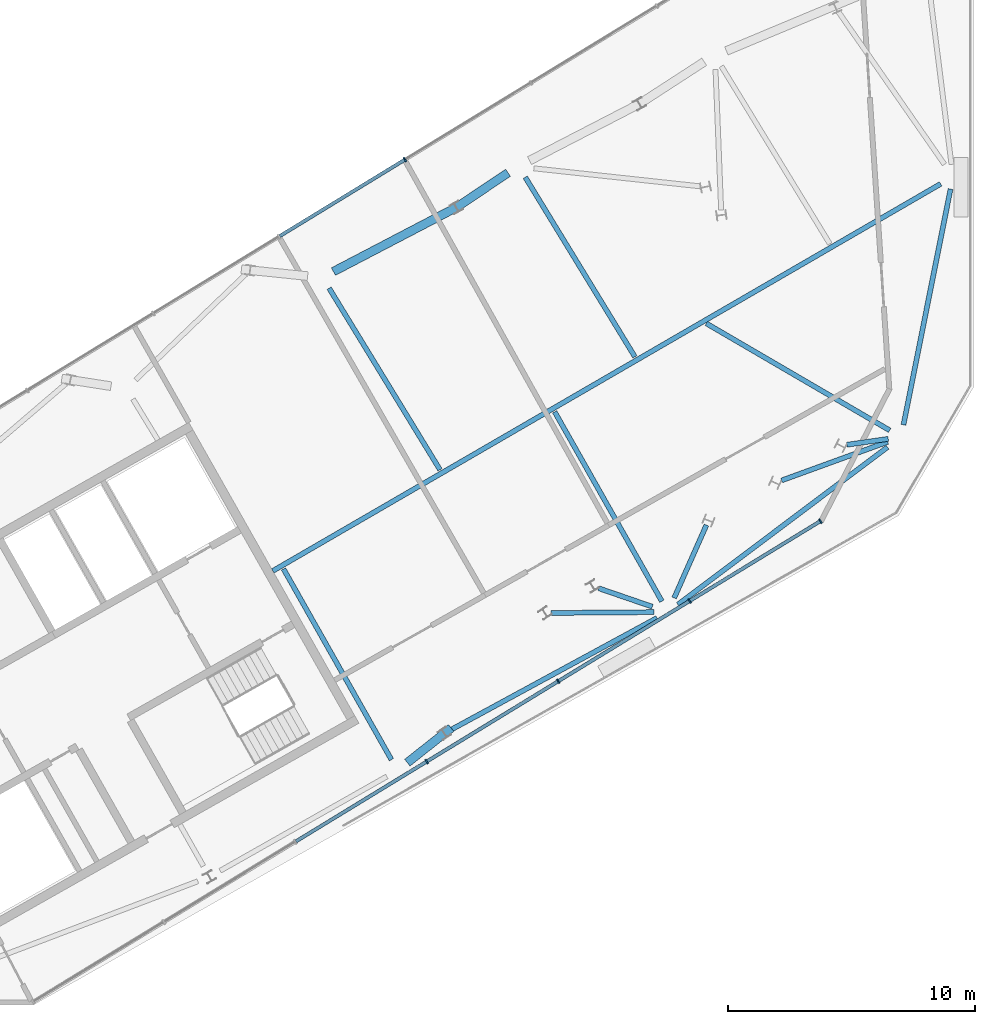
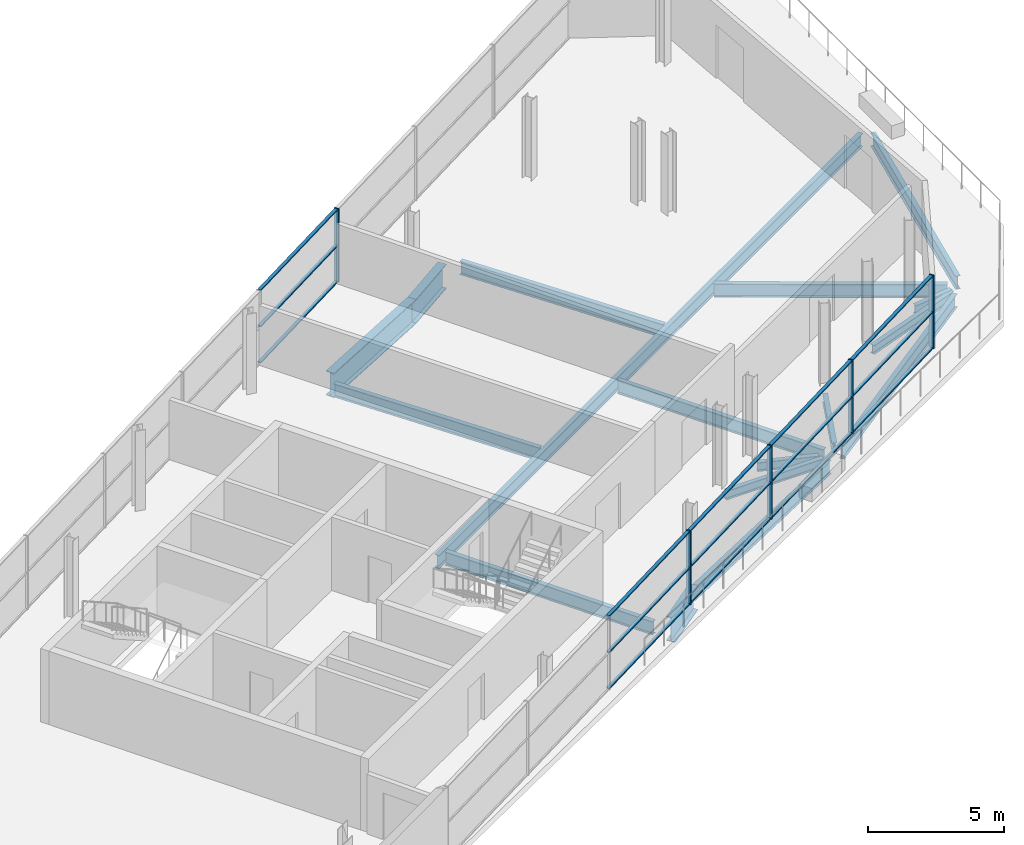
# One storey, part 5 of 10: 20 members, 17 beams, 2 elements without a shape of their own.
"""IFC4 building model written with IfcOpenShell, lengths in metres."""

from ifc_helpers import new_model, si_unit, direction, frame, origin, origin_2d, place, context, subcontext, project, spatial, rectangle, i_section, extrude, material, material_profile, profile_set, type_object, element, aggregate, save


model = new_model("IFC4")

# Units and contexts
model_context = context("Model", 3, precision=1e-05, world=origin(), true_north=direction((0.0, 1.0)))
body_context = subcontext(model_context, "Body", "Model", "MODEL_VIEW")
ifc_project = project(units=[si_unit("LENGTHUNIT", "METRE"), si_unit("AREAUNIT", "SQUARE_METRE"), si_unit("VOLUMEUNIT", "CUBIC_METRE"), si_unit("PLANEANGLEUNIT", "RADIAN"), si_unit("MASSUNIT", "GRAM", prefix="KILO")], contexts=[model_context])

# Site, building, storey
site_placement = place(None, origin())
site = spatial("IfcSite", under=ifc_project, at=site_placement, CompositionType="ELEMENT")
building_placement = place(site_placement, origin())
building = spatial("IfcBuilding", under=site, at=building_placement, Name="Binnacle Exchange Tower", CompositionType="ELEMENT")
storey_placement = place(building_placement, frame((0.0, 0.0, 346.89990234375)))
storey = spatial("IfcBuildingStorey", under=building, at=storey_placement, Name="L79", CompositionType="ELEMENT", Elevation=346.89990234375)

# Curtain wall, member
ifc_material_1 = material(Name="Bronze anodised aluminium frame", Category="aluminium")
curtain_wall_type = type_object("IfcCurtainWallType", Name="External wall - curtain wall crown tiers", PredefinedType="NOTDEFINED", material=ifc_material_1)
curtain_wall_1_placement = place(storey_placement, origin())
curtain_wall_1 = element("IfcCurtainWall", 1, at=curtain_wall_1_placement, inside=storey, type_object=curtain_wall_type, Name="External wall curtain wall CW5-C103 L79", PredefinedType="NOTDEFINED")
ifc_material_profile_1 = material_profile(ifc_material_1, rectangle(XDim=0.199951171875, YDim=0.06005859375, at=origin_2d()), Name="AL 60x200")
ifc_profile_set_1 = profile_set([ifc_material_profile_1], Name="Bronze anodised aluminium frame")
member_type_1 = type_object("IfcMemberType", Name="CW5 MULLION 60x200", PredefinedType="MULLION", material=ifc_profile_set_1)
member_1_placement = place(storey_placement, frame((-23.05322265625, 60.69189453125, 0.0), z_axis=(0.0, 0.0, 1.0), x_axis=(0.521156922554, -0.853460873194, 0.0)))
member_1 = element("IfcMember", 2, at=member_1_placement, type_object=member_type_1, Name="CW5-C103 mullion 4", PredefinedType="MULLION", context=body_context, shape_type="SweptSolid", body=[
    extrude(rectangle(XDim=0.199951171875, YDim=0.06005859375, at=origin_2d()), origin(), (0.0, 0.0, 1.0), 3.300048828125),
])

# Curtain wall, members
curtain_wall_2_placement = place(storey_placement, origin())
curtain_wall_2 = element("IfcCurtainWall", 3, at=curtain_wall_2_placement, inside=storey, type_object=curtain_wall_type, Name="External wall curtain wall CW5-C107 L79", PredefinedType="NOTDEFINED")
member_2_placement = place(storey_placement, frame((-22.1708984375, 36.3076171875, 0.0), z_axis=(0.0, 0.0, 1.0), x_axis=(-0.521156922554, 0.853460873194, 0.0)))
member_2 = element("IfcMember", 4, at=member_2_placement, type_object=member_type_1, Name="CW5-C107 mullion 4", PredefinedType="MULLION", context=body_context, shape_type="SweptSolid", body=[
    extrude(rectangle(XDim=0.199951171875, YDim=0.06005859375, at=origin_2d()), origin(), (0.0, 0.0, 1.0), 3.300048828125),
])
member_3_placement = place(storey_placement, frame((-16.845947265625, 39.559326171875, 0.0), z_axis=(0.0, 0.0, 1.0), x_axis=(-0.521156922554, 0.853460873194, 0.0)))
member_3 = element("IfcMember", 5, at=member_3_placement, type_object=member_type_1, Name="CW5-C107 mullion 5", PredefinedType="MULLION", context=body_context, shape_type="SweptSolid", body=[
    extrude(rectangle(XDim=0.199951171875, YDim=0.06005859375, at=origin_2d()), origin(), (0.0, 0.0, 1.0), 3.300048828125),
])
member_4_placement = place(storey_placement, frame((-11.52099609375, 42.810791015625, 0.0), z_axis=(0.0, 0.0, 1.0), x_axis=(-0.521156922554, 0.853460873194, 0.0)))
member_4 = element("IfcMember", 6, at=member_4_placement, type_object=member_type_1, Name="CW5-C107 mullion 6", PredefinedType="MULLION", context=body_context, shape_type="SweptSolid", body=[
    extrude(rectangle(XDim=0.199951171875, YDim=0.06005859375, at=origin_2d()), origin(), (0.0, 0.0, 1.0), 3.300048828125),
])
member_5_placement = place(storey_placement, frame((-6.2216796875, 46.046875, 0.0), z_axis=(0.0, 0.0, 1.0), x_axis=(-0.521156922554, 0.853460873194, 0.0)))
member_5 = element("IfcMember", 7, at=member_5_placement, type_object=member_type_1, Name="CW5-C107 mullion 7", PredefinedType="MULLION", context=body_context, shape_type="SweptSolid", body=[
    extrude(rectangle(XDim=0.199951171875, YDim=0.06005859375, at=origin_2d()), origin(), (0.0, 0.0, 1.0), 3.300048828125),
])

# Member
ifc_material_profile_2 = material_profile(ifc_material_1, rectangle(XDim=0.139892578125, YDim=0.050048828125, at=origin_2d()), Name="AL 140x50")
ifc_profile_set_2 = profile_set([ifc_material_profile_2], Name="Bronze anodised aluminium frame")
member_type_2 = type_object("IfcMemberType", Name="CW5 TRANSOM 50x140", PredefinedType="USERDEFINED", material=ifc_profile_set_2)
member_6_placement = place(storey_placement, frame((-23.078857421875, 60.67626953125, 0.025146484375), z_axis=(-0.853455161213, -0.521166276537, 0.0), x_axis=(0.521166276537, -0.853455161213, 0.0)))
member_6 = element("IfcMember", 8, at=member_6_placement, type_object=member_type_2, Name="CW5-C103 transom 4.1", ObjectType="TRANSOM", PredefinedType="USERDEFINED", context=body_context, shape_type="SweptSolid", body=[
    extrude(rectangle(XDim=0.139892578125, YDim=0.050048828125, at=origin_2d()), origin(), (0.0, 0.0, 1.0), 5.91748046875),
])

member_7_placement = place(storey_placement, frame((-23.078857421875, 60.67626953125, 1.650146484375), z_axis=(-0.853455161213, -0.521166276537, 0.0), x_axis=(0.521166276537, -0.853455161213, 0.0)))
member_7 = element("IfcMember", 9, at=member_7_placement, type_object=member_type_2, Name="CW5-C103 transom 4.2", ObjectType="TRANSOM", PredefinedType="USERDEFINED", context=body_context, shape_type="SweptSolid", body=[
    extrude(rectangle(XDim=0.139892578125, YDim=0.050048828125, at=origin_2d()), origin(), (0.0, 0.0, 1.0), 5.91748046875),
])

member_8_placement = place(storey_placement, frame((-23.078857421875, 60.67626953125, 3.275146484375), z_axis=(-0.853455161213, -0.521166276537, 0.0), x_axis=(0.521166276537, -0.853455161213, 0.0)))
member_8 = element("IfcMember", 10, at=member_8_placement, type_object=member_type_2, Name="CW5-C103 transom 4.3", ObjectType="TRANSOM", PredefinedType="USERDEFINED", context=body_context, shape_type="SweptSolid", body=[
    extrude(rectangle(XDim=0.139892578125, YDim=0.050048828125, at=origin_2d()), origin(), (0.0, 0.0, 1.0), 5.91748046875),
])

aggregate(curtain_wall_1, [member_1, member_6, member_7, member_8])

member_9_placement = place(storey_placement, frame((-27.47021484375, 33.07177734375, 0.025146484375), z_axis=(0.853479052535, 0.5211271504, 0.0), x_axis=(-0.5211271504, 0.853479052535, 0.0)))
member_9 = element("IfcMember", 11, at=member_9_placement, type_object=member_type_2, Name="CW5-C107 transom 3.1", ObjectType="TRANSOM", PredefinedType="USERDEFINED", context=body_context, shape_type="SweptSolid", body=[
    extrude(rectangle(XDim=0.139892578125, YDim=0.050048828125, at=origin_2d()), origin(), (0.0, 0.0, 1.0), 6.179443359375),
])

member_10_placement = place(storey_placement, frame((-27.47021484375, 33.07177734375, 1.650146484375), z_axis=(0.853479052535, 0.5211271504, 0.0), x_axis=(-0.5211271504, 0.853479052535, 0.0)))
member_10 = element("IfcMember", 12, at=member_10_placement, type_object=member_type_2, Name="CW5-C107 transom 3.2", ObjectType="TRANSOM", PredefinedType="USERDEFINED", context=body_context, shape_type="SweptSolid", body=[
    extrude(rectangle(XDim=0.139892578125, YDim=0.050048828125, at=origin_2d()), origin(), (0.0, 0.0, 1.0), 6.179443359375),
])

member_11_placement = place(storey_placement, frame((-27.47021484375, 33.07177734375, 3.275146484375), z_axis=(0.853479052535, 0.5211271504, 0.0), x_axis=(-0.5211271504, 0.853479052535, 0.0)))
member_11 = element("IfcMember", 13, at=member_11_placement, type_object=member_type_2, Name="CW5-C107 transom 3.3", ObjectType="TRANSOM", PredefinedType="USERDEFINED", context=body_context, shape_type="SweptSolid", body=[
    extrude(rectangle(XDim=0.139892578125, YDim=0.050048828125, at=origin_2d()), origin(), (0.0, 0.0, 1.0), 6.179443359375),
])

member_12_placement = place(storey_placement, frame((-22.145263671875, 36.3232421875, 0.025146484375), z_axis=(0.853450748659, 0.52117350241, 0.0), x_axis=(-0.52117350241, 0.853450748659, 0.0)))
member_12 = element("IfcMember", 14, at=member_12_placement, type_object=member_type_2, Name="CW5-C107 transom 4.1", ObjectType="TRANSOM", PredefinedType="USERDEFINED", context=body_context, shape_type="SweptSolid", body=[
    extrude(rectangle(XDim=0.139892578125, YDim=0.050048828125, at=origin_2d()), origin(), (0.0, 0.0, 1.0), 6.17919921875),
])

member_13_placement = place(storey_placement, frame((-22.145263671875, 36.3232421875, 1.650146484375), z_axis=(0.853450748659, 0.52117350241, 0.0), x_axis=(-0.52117350241, 0.853450748659, 0.0)))
member_13 = element("IfcMember", 15, at=member_13_placement, type_object=member_type_2, Name="CW5-C107 transom 4.2", ObjectType="TRANSOM", PredefinedType="USERDEFINED", context=body_context, shape_type="SweptSolid", body=[
    extrude(rectangle(XDim=0.139892578125, YDim=0.050048828125, at=origin_2d()), origin(), (0.0, 0.0, 1.0), 6.17919921875),
])

member_14_placement = place(storey_placement, frame((-22.145263671875, 36.3232421875, 3.275146484375), z_axis=(0.853450748659, 0.52117350241, 0.0), x_axis=(-0.52117350241, 0.853450748659, 0.0)))
member_14 = element("IfcMember", 16, at=member_14_placement, type_object=member_type_2, Name="CW5-C107 transom 4.3", ObjectType="TRANSOM", PredefinedType="USERDEFINED", context=body_context, shape_type="SweptSolid", body=[
    extrude(rectangle(XDim=0.139892578125, YDim=0.050048828125, at=origin_2d()), origin(), (0.0, 0.0, 1.0), 6.17919921875),
])

member_15_placement = place(storey_placement, frame((-16.8203125, 39.574951171875, 0.025146484375), z_axis=(0.853468322324, 0.52114472346, 0.0), x_axis=(-0.52114472346, 0.853468322324, 0.0)))
member_15 = element("IfcMember", 17, at=member_15_placement, type_object=member_type_2, Name="CW5-C107 transom 5.1", ObjectType="TRANSOM", PredefinedType="USERDEFINED", context=body_context, shape_type="SweptSolid", body=[
    extrude(rectangle(XDim=0.139892578125, YDim=0.050048828125, at=origin_2d()), origin(), (0.0, 0.0, 1.0), 6.17919921875),
])

member_16_placement = place(storey_placement, frame((-16.8203125, 39.574951171875, 1.650146484375), z_axis=(0.853468322324, 0.52114472346, 0.0), x_axis=(-0.52114472346, 0.853468322324, 0.0)))
member_16 = element("IfcMember", 18, at=member_16_placement, type_object=member_type_2, Name="CW5-C107 transom 5.2", ObjectType="TRANSOM", PredefinedType="USERDEFINED", context=body_context, shape_type="SweptSolid", body=[
    extrude(rectangle(XDim=0.139892578125, YDim=0.050048828125, at=origin_2d()), origin(), (0.0, 0.0, 1.0), 6.17919921875),
])

member_17_placement = place(storey_placement, frame((-16.8203125, 39.574951171875, 3.275146484375), z_axis=(0.853468322324, 0.52114472346, 0.0), x_axis=(-0.52114472346, 0.853468322324, 0.0)))
member_17 = element("IfcMember", 19, at=member_17_placement, type_object=member_type_2, Name="CW5-C107 transom 5.3", ObjectType="TRANSOM", PredefinedType="USERDEFINED", context=body_context, shape_type="SweptSolid", body=[
    extrude(rectangle(XDim=0.139892578125, YDim=0.050048828125, at=origin_2d()), origin(), (0.0, 0.0, 1.0), 6.17919921875),
])

member_18_placement = place(storey_placement, frame((-11.495361328125, 42.826416015625, 0.025146484375), z_axis=(0.853448630417, 0.521176971133, 0.0), x_axis=(-0.521176971133, 0.853448630417, 0.0)))
member_18 = element("IfcMember", 20, at=member_18_placement, type_object=member_type_2, Name="CW5-C107 transom 6.1", ObjectType="TRANSOM", PredefinedType="USERDEFINED", context=body_context, shape_type="SweptSolid", body=[
    extrude(rectangle(XDim=0.139892578125, YDim=0.050048828125, at=origin_2d()), origin(), (0.0, 0.0, 1.0), 6.149169921875),
])

member_19_placement = place(storey_placement, frame((-11.495361328125, 42.826416015625, 1.650146484375), z_axis=(0.853448630417, 0.521176971133, 0.0), x_axis=(-0.521176971133, 0.853448630417, 0.0)))
member_19 = element("IfcMember", 21, at=member_19_placement, type_object=member_type_2, Name="CW5-C107 transom 6.2", ObjectType="TRANSOM", PredefinedType="USERDEFINED", context=body_context, shape_type="SweptSolid", body=[
    extrude(rectangle(XDim=0.139892578125, YDim=0.050048828125, at=origin_2d()), origin(), (0.0, 0.0, 1.0), 6.149169921875),
])

member_20_placement = place(storey_placement, frame((-11.495361328125, 42.826416015625, 3.275146484375), z_axis=(0.853448630417, 0.521176971133, 0.0), x_axis=(-0.521176971133, 0.853448630417, 0.0)))
member_20 = element("IfcMember", 22, at=member_20_placement, type_object=member_type_2, Name="CW5-C107 transom 6.3", ObjectType="TRANSOM", PredefinedType="USERDEFINED", context=body_context, shape_type="SweptSolid", body=[
    extrude(rectangle(XDim=0.139892578125, YDim=0.050048828125, at=origin_2d()), origin(), (0.0, 0.0, 1.0), 6.149169921875),
])

aggregate(curtain_wall_2, [member_2, member_3, member_4, member_5, member_9, member_10, member_11, member_12, member_13, member_14, member_15, member_16, member_17, member_18, member_19, member_20])

# Beams
ifc_material_2 = material(Name="Steel S355 (SHN355)", Category="steel")
ifc_material_profile_3 = material_profile(ifc_material_2, i_section(OverallWidth=0.199951171875, OverallDepth=0.60009765625, WebThickness=0.010986328125, FlangeThickness=0.01708984375, FilletRadius=0.02197265625, at=origin_2d()), Name="H 600x200x11x17")
ifc_profile_set_3 = profile_set([ifc_material_profile_3], Name="Steel S355 (SHN355)")
beam_type_1 = type_object("IfcBeamType", Name="Edge girder H 600x200x11x17 Steel S355 (SHN355)", PredefinedType="SPANDREL", material=ifc_profile_set_3)
beam_1_placement = place(storey_placement, frame((-12.839599609375, 42.124755859375, -0.599853515625), z_axis=(-0.878907943298, -0.476991433055, 0.0), x_axis=(0.476991433055, -0.878907943298, 0.0)))
element("IfcBeam", 23, at=beam_1_placement, inside=storey, type_object=beam_type_1, Name="S:BM:edge:L79:019", PredefinedType="SPANDREL", context=body_context, shape_type="SweptSolid", body=[
    extrude(i_section(OverallWidth=0.199951171875, OverallDepth=0.60009765625, WebThickness=0.010986328125, FlangeThickness=0.01708984375, FilletRadius=0.02197265625, at=origin_2d()), origin(), (0.0, 0.0, 1.0), 9.60302734375),
])
beam_2_placement = place(storey_placement, frame((-3.504150390625, 49.04345703125, -0.599853515625), z_axis=(-0.799641252976, -0.600478031687, 0.0), x_axis=(0.600478031687, -0.799641252976, 0.0)))
element("IfcBeam", 24, at=beam_2_placement, inside=storey, type_object=beam_type_1, Name="S:BM:edge:L79:020", PredefinedType="SPANDREL", context=body_context, shape_type="SweptSolid", body=[
    extrude(i_section(OverallWidth=0.199951171875, OverallDepth=0.60009765625, WebThickness=0.010986328125, FlangeThickness=0.01708984375, FilletRadius=0.02197265625, at=origin_2d()), origin(), (0.0, 0.0, 1.0), 10.62060546875),
])
beam_3_placement = place(storey_placement, frame((-0.94970703125, 59.5, -0.599853515625), z_axis=(-0.195812523993, -0.98064134904, 0.0), x_axis=(0.98064134904, -0.195812523993, 0.0)))
element("IfcBeam", 25, at=beam_3_placement, inside=storey, type_object=beam_type_1, Name="S:BM:edge:L79:022", PredefinedType="SPANDREL", context=body_context, shape_type="SweptSolid", body=[
    extrude(i_section(OverallWidth=0.199951171875, OverallDepth=0.60009765625, WebThickness=0.010986328125, FlangeThickness=0.01708984375, FilletRadius=0.02197265625, at=origin_2d()), origin(), (0.0, 0.0, 1.0), 9.74267578125),
])
ifc_material_profile_4 = material_profile(ifc_material_2, i_section(OverallWidth=0.199951171875, OverallDepth=0.39990234375, WebThickness=0.008056640625, FlangeThickness=0.012939453125, FilletRadius=0.01611328125, at=origin_2d()), Name="H 400x200x8x13")
ifc_profile_set_4 = profile_set([ifc_material_profile_4], Name="Steel S355 (SHN355)")
beam_type_2 = type_object("IfcBeamType", Name="Floor beam H 400x200x8x13 Steel S355 (SHN355)", PredefinedType="BEAM", material=ifc_profile_set_4)
beam_4_placement = place(storey_placement, frame((-13.031982421875, 42.580078125, -0.5), z_axis=(-0.945795430582, 0.324762995875, 0.0), x_axis=(-0.324762995875, -0.945795430582, 0.0)))
element("IfcBeam", 26, at=beam_4_placement, inside=storey, type_object=beam_type_2, Name="S:BM:cross:L79:032", PredefinedType="BEAM", context=body_context, shape_type="SweptSolid", body=[
    extrude(i_section(OverallWidth=0.199951171875, OverallDepth=0.39990234375, WebThickness=0.008056640625, FlangeThickness=0.012939453125, FilletRadius=0.01611328125, at=origin_2d()), origin(), (0.0, 0.0, 1.0), 2.304931640625),
])
beam_5_placement = place(storey_placement, frame((-12.971923828125, 42.358642578125, -0.5), z_axis=(-0.999969258414, -0.007841060368, 0.0), x_axis=(0.007841060368, -0.999969258414, 0.0)))
element("IfcBeam", 27, at=beam_5_placement, inside=storey, type_object=beam_type_2, Name="S:BM:cross:L79:033", PredefinedType="BEAM", context=body_context, shape_type="SweptSolid", body=[
    extrude(i_section(OverallWidth=0.199951171875, OverallDepth=0.39990234375, WebThickness=0.008056640625, FlangeThickness=0.012939453125, FilletRadius=0.01611328125, at=origin_2d()), origin(), (0.0, 0.0, 1.0), 4.17236328125),
])
beam_6_placement = place(storey_placement, frame((-12.14794921875, 42.93310546875, -0.5), z_axis=(0.404518169279, 0.914529961632, 0.0), x_axis=(-0.914529961632, 0.404518169279, 0.0)))
element("IfcBeam", 28, at=beam_6_placement, inside=storey, type_object=beam_type_2, Name="S:BM:cross:L79:035", PredefinedType="BEAM", context=body_context, shape_type="SweptSolid", body=[
    extrude(i_section(OverallWidth=0.199951171875, OverallDepth=0.39990234375, WebThickness=0.008056640625, FlangeThickness=0.012939453125, FilletRadius=0.01611328125, at=origin_2d()), origin(), (0.0, 0.0, 1.0), 3.230712890625),
])
beam_7_placement = place(storey_placement, frame((-3.497314453125, 49.25830078125, -0.5), z_axis=(-0.939759120977, -0.341837380255, 0.0), x_axis=(0.341837380255, -0.939759120977, 0.0)))
element("IfcBeam", 29, at=beam_7_placement, inside=storey, type_object=beam_type_2, Name="S:BM:cross:L79:038", PredefinedType="BEAM", context=body_context, shape_type="SweptSolid", body=[
    extrude(i_section(OverallWidth=0.199951171875, OverallDepth=0.39990234375, WebThickness=0.008056640625, FlangeThickness=0.012939453125, FilletRadius=0.01611328125, at=origin_2d()), origin(), (0.0, 0.0, 1.0), 4.572265625),
])
beam_8_placement = place(storey_placement, frame((-3.475830078125, 49.380615234375, -0.5), z_axis=(-0.989831088857, -0.142247725933, 0.0), x_axis=(0.142247725933, -0.989831088857, 0.0)))
element("IfcBeam", 30, at=beam_8_placement, inside=storey, type_object=beam_type_2, Name="S:BM:cross:L79:039", PredefinedType="BEAM", context=body_context, shape_type="SweptSolid", body=[
    extrude(i_section(OverallWidth=0.199951171875, OverallDepth=0.39990234375, WebThickness=0.008056640625, FlangeThickness=0.012939453125, FilletRadius=0.01611328125, at=origin_2d()), origin(), (0.0, 0.0, 1.0), 1.69580078125),
])
ifc_material_profile_5 = material_profile(ifc_material_2, i_section(OverallWidth=0.199951171875, OverallDepth=0.60009765625, WebThickness=0.010986328125, FlangeThickness=0.01708984375, FilletRadius=0.02197265625, at=origin_2d()), Name="H 600x200x11x17")
ifc_profile_set_5 = profile_set([ifc_material_profile_5], Name="Steel S355 (SHN355)")
beam_type_3 = type_object("IfcBeamType", Name="Floor beam H 600x200x11x17 Steel S355 (SHN355)", PredefinedType="BEAM", material=ifc_profile_set_5)
beam_9_placement = place(storey_placement, frame((-26.126953125, 55.483154296875, -0.599853515625), z_axis=(0.521178431017, -0.853447738905, 0.0), x_axis=(0.853447738905, 0.521178431017, 0.0)))
element("IfcBeam", 31, at=beam_9_placement, inside=storey, type_object=beam_type_3, Name="S:BM:cross:L79:028", PredefinedType="BEAM", context=body_context, shape_type="SweptSolid", body=[
    extrude(i_section(OverallWidth=0.199951171875, OverallDepth=0.60009765625, WebThickness=0.010986328125, FlangeThickness=0.01708984375, FilletRadius=0.02197265625, at=origin_2d()), origin(), (0.0, 0.0, 1.0), 8.618896484375),
])
beam_10_placement = place(storey_placement, frame((-23.602294921875, 36.38134765625, -0.599853515625), z_axis=(-0.492414281861, 0.870360945251, 0.0), x_axis=(-0.870360945251, -0.492414281861, 0.0)))
element("IfcBeam", 32, at=beam_10_placement, inside=storey, type_object=beam_type_3, Name="S:BM:cross:L79:029", PredefinedType="BEAM", context=body_context, shape_type="SweptSolid", body=[
    extrude(i_section(OverallWidth=0.199951171875, OverallDepth=0.60009765625, WebThickness=0.010986328125, FlangeThickness=0.01708984375, FilletRadius=0.02197265625, at=origin_2d()), origin(), (0.0, 0.0, 1.0), 8.876953125),
])
beam_11_placement = place(storey_placement, frame((-18.1806640625, 59.97900390625, -0.599853515625), z_axis=(0.521160346484, -0.853458782398, 0.0), x_axis=(0.853458782398, 0.521160346484, 0.0)))
element("IfcBeam", 33, at=beam_11_placement, inside=storey, type_object=beam_type_3, Name="S:BM:cross:L79:030", PredefinedType="BEAM", context=body_context, shape_type="SweptSolid", body=[
    extrude(i_section(OverallWidth=0.199951171875, OverallDepth=0.60009765625, WebThickness=0.010986328125, FlangeThickness=0.01708984375, FilletRadius=0.02197265625, at=origin_2d()), origin(), (0.0, 0.0, 1.0), 8.52392578125),
])
beam_12_placement = place(storey_placement, frame((-12.646240234375, 42.79833984375, -0.599853515625), z_axis=(-0.492407524811, 0.870364768077, 0.0), x_axis=(-0.870364768077, -0.492407524811, 0.0)))
element("IfcBeam", 34, at=beam_12_placement, inside=storey, type_object=beam_type_3, Name="S:BM:cross:L79:034", PredefinedType="BEAM", context=body_context, shape_type="SweptSolid", body=[
    extrude(i_section(OverallWidth=0.199951171875, OverallDepth=0.60009765625, WebThickness=0.010986328125, FlangeThickness=0.01708984375, FilletRadius=0.02197265625, at=origin_2d()), origin(), (0.0, 0.0, 1.0), 8.818359375),
])
beam_13_placement = place(storey_placement, frame((-3.416259765625, 49.72412109375, -0.599853515625), z_axis=(-0.863831407441, 0.503781003531, 0.0), x_axis=(-0.503781003531, -0.863831407441, 0.0)))
element("IfcBeam", 35, at=beam_13_placement, inside=storey, type_object=beam_type_3, Name="S:BM:cross:L79:040", PredefinedType="BEAM", context=body_context, shape_type="SweptSolid", body=[
    extrude(i_section(OverallWidth=0.199951171875, OverallDepth=0.60009765625, WebThickness=0.010986328125, FlangeThickness=0.01708984375, FilletRadius=0.02197265625, at=origin_2d()), origin(), (0.0, 0.0, 1.0), 8.60009765625),
])
ifc_material_profile_6 = material_profile(ifc_material_2, i_section(OverallWidth=0.199951171875, OverallDepth=0.60009765625, WebThickness=0.010986328125, FlangeThickness=0.01708984375, FilletRadius=0.02197265625, at=origin_2d()), Name="H 600x200x11x17")
ifc_profile_set_6 = profile_set([ifc_material_profile_6], Name="Steel S355 (SHN355)")
beam_type_4 = type_object("IfcBeamType", Name="Spine girder H 600x200x11x17 Steel S355 (SHN355)", PredefinedType="BEAM", material=ifc_profile_set_6)
beam_14_placement = place(storey_placement, frame((-28.408935546875, 44.0283203125, -0.599853515625), z_axis=(0.865201012456, 0.501425176916, 0.0), x_axis=(-0.501425176916, 0.865201012456, 0.0)))
element("IfcBeam", 36, at=beam_14_placement, inside=storey, type_object=beam_type_4, Name="S:BM:spine:L79:010", PredefinedType="BEAM", context=body_context, shape_type="SweptSolid", body=[
    extrude(i_section(OverallWidth=0.199951171875, OverallDepth=0.60009765625, WebThickness=0.010986328125, FlangeThickness=0.01708984375, FilletRadius=0.02197265625, at=origin_2d()), origin(), (0.0, 0.0, 1.0), 31.274658203125),
])
ifc_material_3 = material(Name="Steel S355 (SM355)", Category="steel")
ifc_material_profile_7 = material_profile(ifc_material_3, i_section(OverallWidth=0.35009765625, OverallDepth=1.10009765625, WebThickness=0.02001953125, FlangeThickness=0.035888671875, at=origin_2d()), Name="BH 1100x350x20x36")
ifc_profile_set_7 = profile_set([ifc_material_profile_7], Name="Steel S355 (SM355)")
beam_type_5 = type_object("IfcBeamType", Name="Transfer girder BH 1100x350x20x36 Steel S355 (SM355)", PredefinedType="BEAM", material=ifc_profile_set_7)
beam_15_placement = place(storey_placement, frame((-22.958984375, 36.260009765625, -0.849853515625), z_axis=(0.784336338974, 0.620335802098, 0.0), x_axis=(-0.620335802098, 0.784336338974, 0.0)))
element("IfcBeam", 37, at=beam_15_placement, inside=storey, type_object=beam_type_5, Name="S:BM:transfer:L79:003", PredefinedType="BEAM", context=body_context, shape_type="SweptSolid", body=[
    extrude(i_section(OverallWidth=0.35009765625, OverallDepth=1.10009765625, WebThickness=0.02001953125, FlangeThickness=0.035888671875, at=origin_2d()), origin(), (0.0, 0.0, 1.0), 2.265625),
])
beam_16_placement = place(storey_placement, frame((-20.973876953125, 58.754638671875, -0.849853515625), z_axis=(-0.886536780158, -0.46265812154, 0.0), x_axis=(0.46265812154, -0.886536780158, 0.0)))
element("IfcBeam", 38, at=beam_16_placement, inside=storey, type_object=beam_type_5, Name="S:BM:transfer:L79:004", PredefinedType="BEAM", context=body_context, shape_type="SweptSolid", body=[
    extrude(i_section(OverallWidth=0.35009765625, OverallDepth=1.10009765625, WebThickness=0.02001953125, FlangeThickness=0.035888671875, at=origin_2d()), origin(), (0.0, 0.0, 1.0), 5.61572265625),
])
beam_17_placement = place(storey_placement, frame((-18.87646484375, 60.159912109375, -0.849853515625), z_axis=(-0.830768636458, -0.556617887493, 0.0), x_axis=(0.556617887493, -0.830768636458, 0.0)))
element("IfcBeam", 39, at=beam_17_placement, inside=storey, type_object=beam_type_5, Name="S:BM:transfer:L79:005", PredefinedType="BEAM", context=body_context, shape_type="SweptSolid", body=[
    extrude(i_section(OverallWidth=0.35009765625, OverallDepth=1.10009765625, WebThickness=0.02001953125, FlangeThickness=0.035888671875, at=origin_2d()), origin(), (0.0, 0.0, 1.0), 2.524658203125),
])

save(model, "model.ifc")
